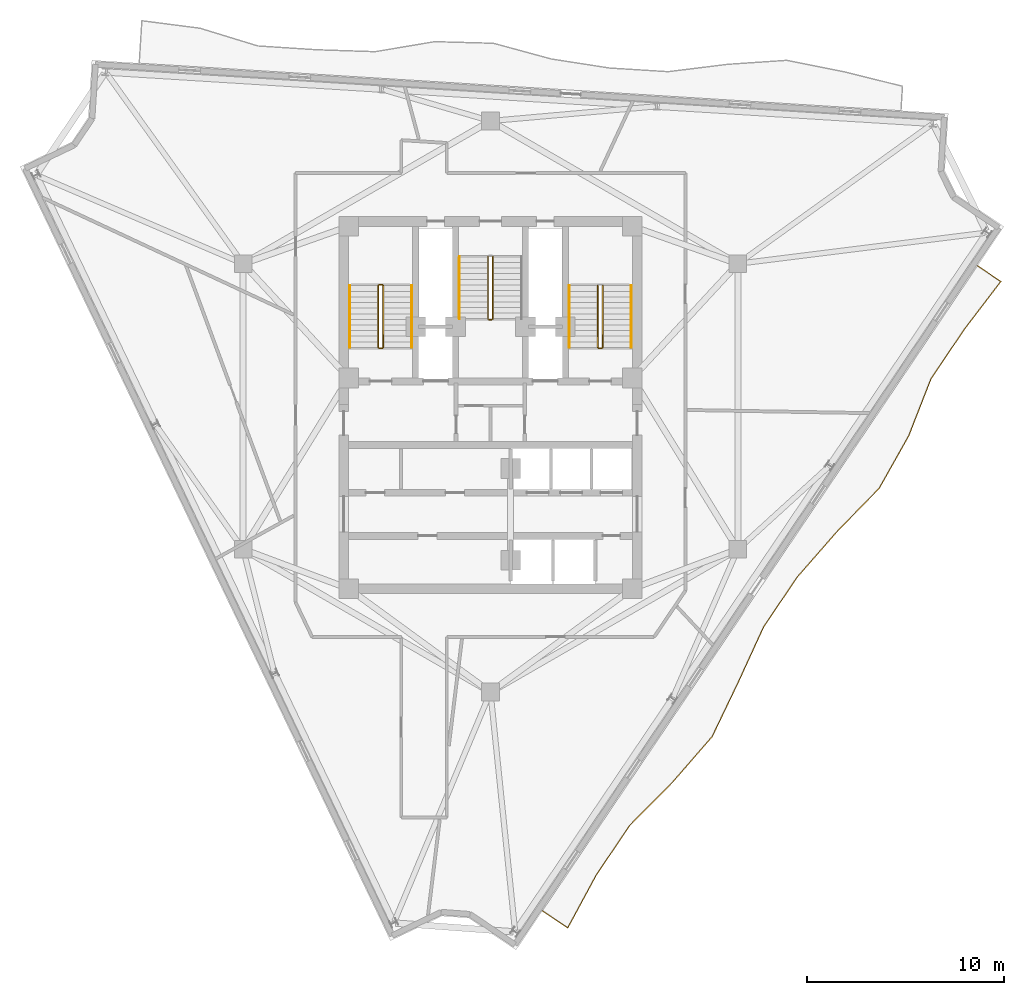
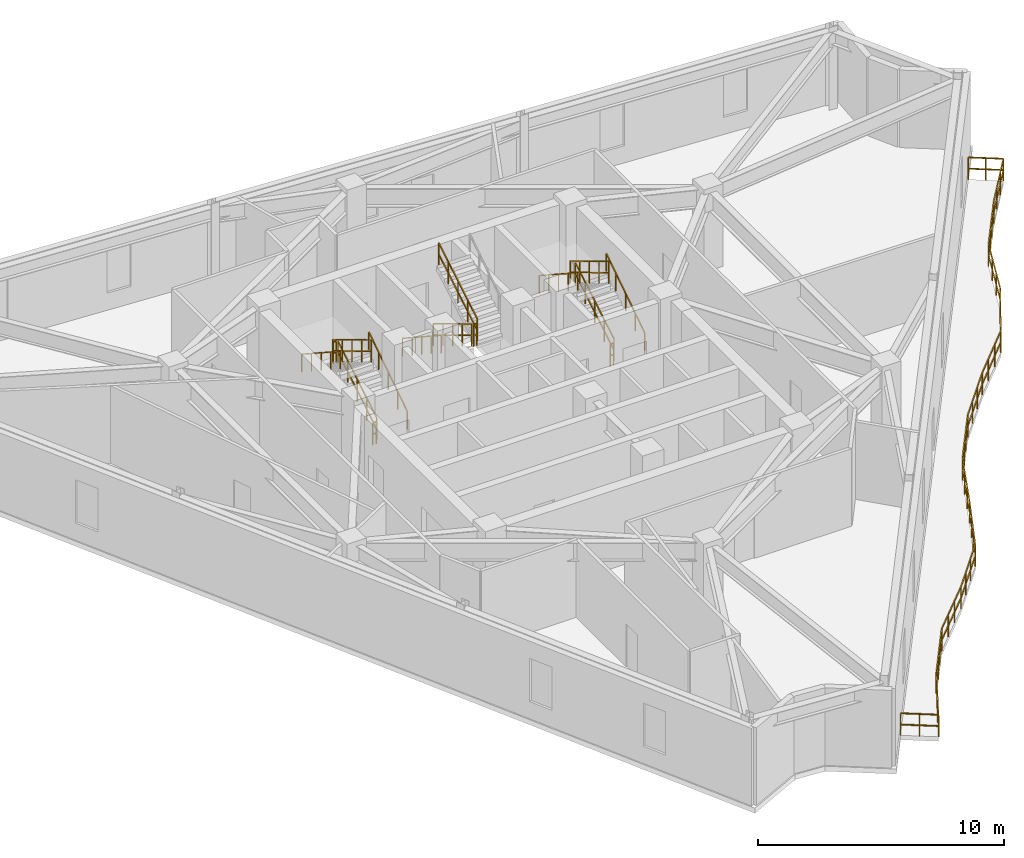
# One storey, part 9 of 10: 16 railings.
"""IFC4 building model written with IfcOpenShell, lengths in metres."""

import ifcopenshell
import ifcopenshell.guid

model = None  # the IFC model being written
_history = None  # IfcOwnerHistory: only IFC2X3 demands one
_inside = {}  # id of a spatial element -> (the spatial element, [elements in it])
_under = {}  # id of a project, library or spatial element -> (it, [spatial elements below it])
_declared = {}  # id of a project -> (the project, [libraries it declares])
_typed = {}  # id of a type object -> (the type object, [elements of that type])
_made_of = {}  # id of a material, layer set ... -> (it, [elements and type objects made of it])


def new_model(schema):
    """Start an empty IFC model of exactly this schema.

    Asked for "IFC4X3", IfcOpenShell would pick the latest addendum, in which some entities
    have other attributes; the version numbers below select the first issue.
    IFC2X3 requires an IfcOwnerHistory on every rooted entity: one is made here for all.
    """
    global model, _history
    if schema == "IFC4X3":
        model = ifcopenshell.file(schema_version=(4, 3, 0, 0))
    else:
        model = ifcopenshell.file(schema=schema)
    _inside.clear()
    _under.clear()
    _declared.clear()
    _typed.clear()
    _made_of.clear()
    _history = None
    if model.schema == "IFC2X3":
        org = make("IfcOrganization", Name="unknown")
        user = make(
            "IfcPersonAndOrganization",
            ThePerson=make("IfcPerson", FamilyName="unknown"),
            TheOrganization=org,
        )
        app = make(
            "IfcApplication",
            ApplicationDeveloper=org,
            Version="unknown",
            ApplicationFullName="unknown",
            ApplicationIdentifier="unknown",
        )
        _history = make(
            "IfcOwnerHistory",
            OwningUser=user,
            OwningApplication=app,
            ChangeAction="ADDED",
            CreationDate=0,
        )
    return model


def make(cls, **values):
    """One entity of the class cls with the attributes given. An attribute that is None is left unset."""
    return model.create_entity(
        cls, **{name: value for name, value in values.items() if value is not None}
    )


def rooted(cls, **values):
    """An entity with a GlobalId (a new one), such as an element, a storey or a relation."""
    return make(cls, GlobalId=ifcopenshell.guid.new(), OwnerHistory=_history, **values)


def si_unit(unit_type, name, prefix=None):
    """IfcSIUnit, for example si_unit("LENGTHUNIT", "METRE", prefix="MILLI")."""
    return make("IfcSIUnit", UnitType=unit_type, Prefix=prefix, Name=name)


def assignment(units):
    """IfcUnitAssignment: the units of a project."""
    return None if units is None else make("IfcUnitAssignment", Units=units)


def point(xyz):
    """IfcCartesianPoint."""
    return None if xyz is None else make("IfcCartesianPoint", Coordinates=xyz)


def direction(xyz):
    """IfcDirection."""
    return None if xyz is None else make("IfcDirection", DirectionRatios=xyz)


def frame(location, z_axis=None, x_axis=None):
    """IfcAxis2Placement3D, a coordinate frame: its origin and axes. An axis left out is left unset."""
    return make(
        "IfcAxis2Placement3D",
        Location=point(location),
        Axis=direction(z_axis),
        RefDirection=direction(x_axis),
    )


def frame_2d(location, x_axis=None):
    """IfcAxis2Placement2D, a coordinate frame in the plane: its origin and x axis."""
    return make(
        "IfcAxis2Placement2D", Location=point(location), RefDirection=direction(x_axis)
    )


def origin():
    """The frame at (0, 0, 0) with its axes left unset."""
    return frame((0.0, 0.0, 0.0))


def origin_2d():
    """The frame at (0, 0) in the plane with its x axis left unset."""
    return frame_2d((0.0, 0.0))


def place(relative_to, where):
    """IfcLocalPlacement: puts the frame where relative to a parent placement (None: the world)."""
    return make(
        "IfcLocalPlacement", PlacementRelTo=relative_to, RelativePlacement=where
    )


def context(
    kind, dimensions, precision=None, world=None, true_north=None, identifier=None
):
    """IfcGeometricRepresentationContext, for example the 3D "Model" context."""
    return make(
        "IfcGeometricRepresentationContext",
        ContextIdentifier=identifier,
        ContextType=kind,
        CoordinateSpaceDimension=dimensions,
        Precision=precision,
        WorldCoordinateSystem=world,
        TrueNorth=true_north,
    )


def subcontext(parent, identifier, kind, view, scale=None):
    """IfcGeometricRepresentationSubContext, for example "Body" below "Model"."""
    return make(
        "IfcGeometricRepresentationSubContext",
        ContextIdentifier=identifier,
        ContextType=kind,
        ParentContext=parent,
        TargetScale=scale,
        TargetView=view,
    )


def project(units=None, contexts=None):
    """IfcProject with its units and contexts."""
    return rooted(
        "IfcProject",
        Name="project",
        RepresentationContexts=contexts,
        UnitsInContext=assignment(units),
    )


def spatial(cls, under=None, at=None, **own):
    """A site, building, storey or space (cls), placed at a placement, below another one or the project."""
    s = rooted(cls, ObjectPlacement=at, **own)
    if under is not None:
        _under.setdefault(under.id(), (under, []))[1].append(s)
    return s


def profile(cls, at=None, kind="AREA", **sizes):
    """A parametric profile (cls). Its sizes go by their IFC names, for example OverallWidth=200.0."""
    return make(cls, ProfileType=kind, Position=at, **sizes)


def rectangle(**sizes):
    """IfcRectangleProfileDef."""
    return profile("IfcRectangleProfileDef", **sizes)


def extrude(swept, where, along, depth):
    """IfcExtrudedAreaSolid: the profile swept, set in the frame where, extruded along a direction by depth."""
    return make(
        "IfcExtrudedAreaSolid",
        SweptArea=swept,
        Position=where,
        ExtrudedDirection=direction(along),
        Depth=depth,
    )


def shape(context_of_items, identifier, shape_type, items):
    """IfcShapeRepresentation: the items that make up one representation, for example the "Body"."""
    return make(
        "IfcShapeRepresentation",
        ContextOfItems=context_of_items,
        RepresentationIdentifier=identifier,
        RepresentationType=shape_type,
        Items=items,
    )


def material(Name=None, Category=None):
    """IfcMaterial."""
    return make("IfcMaterial", Name=Name, Category=Category)


def made_of(thing, what):
    """Note that an element or type object is made of a material, layer set ...; save() writes the relation."""
    if what is not None:
        _made_of.setdefault(what.id(), (what, []))[1].append(thing)
    return thing


def type_object(cls, material=None, **own):
    """A type object (cls), such as IfcWallType, which elements share."""
    return made_of(rooted(cls, **own), material)


def element(
    cls,
    number,
    at=None,
    inside=None,
    cuts=None,
    type_object=None,
    material=None,
    context=None,
    identifier="Body",
    shape_type=None,
    held_by="IfcProductDefinitionShape",
    body=None,
    shapes=None,
    **own,
):
    """One element of the class cls, such as IfcWall. Its Tag is "e" and its number.

    at: its placement. inside: the storey or other place that contains it. cuts: it is an
    opening in that element (IfcRelVoidsElement). A single representation is given by context,
    identifier, shape_type and body (its items); several are given by shapes. held_by: the class
    of the entity that holds the representations. save() writes the other relations.
    """
    e = rooted(cls, Tag="e%d" % number, ObjectPlacement=at, **own)
    if body is not None:
        shapes = [shape(context, identifier, shape_type, body)]
    if shapes is not None:
        e.Representation = make(held_by, Representations=shapes)
    if inside is not None:
        _inside.setdefault(inside.id(), (inside, []))[1].append(e)
    if cuts is not None:
        rooted(
            "IfcRelVoidsElement", RelatingBuildingElement=cuts, RelatedOpeningElement=e
        )
    if type_object is not None:
        _typed.setdefault(type_object.id(), (type_object, []))[1].append(e)
    return made_of(e, material)


def aggregate(whole, parts):
    """IfcRelAggregates: a whole, such as a stair, and the parts it consists of."""
    return rooted("IfcRelAggregates", RelatingObject=whole, RelatedObjects=parts)


def save(model, path):
    """Write the relations noted so far, then the file.

    IfcRelAggregates (storeys below a building ...), IfcRelContainedInSpatialStructure (elements
    in a storey), IfcRelDefinesByType, IfcRelAssociatesMaterial and IfcRelDeclares: one each for
    every whole, place, type object, material and project.
    """
    for whole, parts in _under.values():
        aggregate(whole, parts)
    for where, things in _inside.values():
        rooted(
            "IfcRelContainedInSpatialStructure",
            RelatedElements=things,
            RelatingStructure=where,
        )
    for kind, things in _typed.values():
        rooted("IfcRelDefinesByType", RelatedObjects=things, RelatingType=kind)
    for what, things in _made_of.values():
        rooted("IfcRelAssociatesMaterial", RelatedObjects=things, RelatingMaterial=what)
    for by, libraries in _declared.values():
        rooted("IfcRelDeclares", RelatingContext=by, RelatedDefinitions=libraries)
    model.write(path)


model = new_model("IFC4")

# Units and contexts
model_context = context("Model", 3, precision=1e-05, world=origin(), true_north=direction((0.0, 1.0)))
body_context = subcontext(model_context, "Body", "Model", "MODEL_VIEW")
ifc_project = project(units=[si_unit("LENGTHUNIT", "METRE"), si_unit("AREAUNIT", "SQUARE_METRE"), si_unit("VOLUMEUNIT", "CUBIC_METRE"), si_unit("PLANEANGLEUNIT", "RADIAN"), si_unit("MASSUNIT", "GRAM", prefix="KILO")], contexts=[model_context])

# Site, building, storey
site_placement = place(None, origin())
site = spatial("IfcSite", under=ifc_project, at=site_placement, CompositionType="ELEMENT")
building_placement = place(site_placement, origin())
building = spatial("IfcBuilding", under=site, at=building_placement, Name="Apsidion Concourse Tower", CompositionType="ELEMENT")
storey_placement = place(building_placement, frame((0.0, 0.0, 310.60009765625)))
storey = spatial("IfcBuildingStorey", under=building, at=storey_placement, Name="L73", CompositionType="ELEMENT", Elevation=310.60009765625)

# Railings
ifc_material = material(Name="Brushed stainless steel 316", Category="steel")
railing_type_1 = type_object("IfcRailingType", Name="RL-BAL-1120", PredefinedType="BALUSTRADE", material=ifc_material)
railing_1_placement = place(storey_placement, frame((24.735595703125, 7.147216796875, 0.0)))
element("IfcRailing", 1, at=railing_1_placement, inside=storey, type_object=railing_type_1, Name="L73 Face 2 Rippling Balcony Balustrade", PredefinedType="BALUSTRADE", context=body_context, shape_type="SweptSolid", body=[
    extrude(rectangle(XDim=0.048095703125, YDim=0.048095703125, at=origin_2d()), frame((0.0, 0.0, 1.09619140625), z_axis=(0.829037077885, -0.559193636848, 0.0), x_axis=(0.559193636848, 0.829037077885, 0.0)), (0.0, 0.0, 1.0), 1.4267578125),
    extrude(rectangle(XDim=0.048095703125, YDim=0.048095703125, at=origin_2d()), frame((0.0, 0.0, 0.5361328125), z_axis=(0.829037077885, -0.559193636848, 0.0), x_axis=(0.559193636848, 0.829037077885, 0.0)), (0.0, 0.0, 1.0), 1.4267578125),
    extrude(rectangle(XDim=0.048095703125, YDim=0.048095703125, at=origin_2d()), frame((1.182861328125, -0.7978515625, 1.09619140625), z_axis=(-0.606407934238, -0.795153706709, 0.0), x_axis=(0.795153706709, -0.606407934238, 0.0)), (0.0, 0.0, 1.0), 3.044921875),
    extrude(rectangle(XDim=0.048095703125, YDim=0.048095703125, at=origin_2d()), frame((1.182861328125, -0.7978515625, 0.5361328125), z_axis=(-0.606407934238, -0.795153706709, 0.0), x_axis=(0.795153706709, -0.606407934238, 0.0)), (0.0, 0.0, 1.0), 3.044921875),
    extrude(rectangle(XDim=0.048095703125, YDim=0.048095703125, at=origin_2d()), frame((-0.66357421875, -3.218994140625, 1.09619140625), z_axis=(-0.559214853397, -0.82902276672, 0.0), x_axis=(0.82902276672, -0.559214853397, 0.0)), (0.0, 0.0, 1.0), 3.03955078125),
    extrude(rectangle(XDim=0.048095703125, YDim=0.048095703125, at=origin_2d()), frame((-0.66357421875, -3.218994140625, 0.5361328125), z_axis=(-0.559214853397, -0.82902276672, 0.0), x_axis=(0.82902276672, -0.559214853397, 0.0)), (0.0, 0.0, 1.0), 3.03955078125),
    extrude(rectangle(XDim=0.048095703125, YDim=0.048095703125, at=origin_2d()), frame((-2.36328125, -5.73876953125, 1.09619140625), z_axis=(-0.363784657862, -0.931483076982, 0.0), x_axis=(0.931483076982, -0.363784657862, 0.0)), (0.0, 0.0, 1.0), 3.115234375),
    extrude(rectangle(XDim=0.048095703125, YDim=0.048095703125, at=origin_2d()), frame((-2.36328125, -5.73876953125, 0.5361328125), z_axis=(-0.363784657862, -0.931483076982, 0.0), x_axis=(0.931483076982, -0.363784657862, 0.0)), (0.0, 0.0, 1.0), 3.115234375),
    extrude(rectangle(XDim=0.048095703125, YDim=0.048095703125, at=origin_2d()), frame((-3.49658203125, -8.640625, 1.09619140625), z_axis=(-0.490420867587, -0.871485727155, 0.0), x_axis=(0.871485727155, -0.490420867587, 0.0)), (0.0, 0.0, 1.0), 3.049560546875),
    extrude(rectangle(XDim=0.048095703125, YDim=0.048095703125, at=origin_2d()), frame((-3.49658203125, -8.640625, 0.5361328125), z_axis=(-0.490420867587, -0.871485727155, 0.0), x_axis=(0.871485727155, -0.490420867587, 0.0)), (0.0, 0.0, 1.0), 3.049560546875),
    extrude(rectangle(XDim=0.048095703125, YDim=0.048095703125, at=origin_2d()), frame((-4.9921875, -11.29833984375, 1.09619140625), z_axis=(-0.697557953227, -0.716528367819, 0.0), x_axis=(0.716528367819, -0.697557953227, 0.0)), (0.0, 0.0, 1.0), 3.088623046875),
    extrude(rectangle(XDim=0.048095703125, YDim=0.048095703125, at=origin_2d()), frame((-4.9921875, -11.29833984375, 0.5361328125), z_axis=(-0.697557953227, -0.716528367819, 0.0), x_axis=(0.716528367819, -0.697557953227, 0.0)), (0.0, 0.0, 1.0), 3.088623046875),
    extrude(rectangle(XDim=0.048095703125, YDim=0.048095703125, at=origin_2d()), frame((-7.146728515625, -13.511474609375, 1.09619140625), z_axis=(-0.657883748879, -0.753119494477, 0.0), x_axis=(0.753119494477, -0.657883748879, 0.0)), (0.0, 0.0, 1.0), 3.0634765625),
    extrude(rectangle(XDim=0.048095703125, YDim=0.048095703125, at=origin_2d()), frame((-7.146728515625, -13.511474609375, 0.5361328125), z_axis=(-0.657883748879, -0.753119494477, 0.0), x_axis=(0.753119494477, -0.657883748879, 0.0)), (0.0, 0.0, 1.0), 3.0634765625),
    extrude(rectangle(XDim=0.048095703125, YDim=0.048095703125, at=origin_2d()), frame((-9.162109375, -15.818603515625, 1.09619140625), z_axis=(-0.559177617013, -0.829047883196, 0.0), x_axis=(0.829047883196, -0.559177617013, 0.0)), (0.0, 0.0, 1.0), 3.03955078125),
    extrude(rectangle(XDim=0.048095703125, YDim=0.048095703125, at=origin_2d()), frame((-9.162109375, -15.818603515625, 0.5361328125), z_axis=(-0.559177617013, -0.829047883196, 0.0), x_axis=(0.829047883196, -0.559177617013, 0.0)), (0.0, 0.0, 1.0), 3.03955078125),
    extrude(rectangle(XDim=0.048095703125, YDim=0.048095703125, at=origin_2d()), frame((-10.86181640625, -18.338623046875, 1.09619140625), z_axis=(-0.416810261032, -0.908993512792, 0.0), x_axis=(0.908993512792, -0.416810261032, 0.0)), (0.0, 0.0, 1.0), 3.080322265625),
    extrude(rectangle(XDim=0.048095703125, YDim=0.048095703125, at=origin_2d()), frame((-10.86181640625, -18.338623046875, 0.5361328125), z_axis=(-0.416810261032, -0.908993512792, 0.0), x_axis=(0.908993512792, -0.416810261032, 0.0)), (0.0, 0.0, 1.0), 3.080322265625),
    extrude(rectangle(XDim=0.048095703125, YDim=0.048095703125, at=origin_2d()), frame((-12.145751953125, -21.138671875, 1.09619140625), z_axis=(-0.432501146296, -0.901633383617, 0.0), x_axis=(0.901633383617, -0.432501146296, 0.0)), (0.0, 0.0, 1.0), 3.072509765625),
    extrude(rectangle(XDim=0.048095703125, YDim=0.048095703125, at=origin_2d()), frame((-12.145751953125, -21.138671875, 0.5361328125), z_axis=(-0.432501146296, -0.901633383617, 0.0), x_axis=(0.901633383617, -0.432501146296, 0.0)), (0.0, 0.0, 1.0), 3.072509765625),
    extrude(rectangle(XDim=0.048095703125, YDim=0.048095703125, at=origin_2d()), frame((-13.474609375, -23.908935546875, 1.09619140625), z_axis=(-0.655819405218, -0.754917815222, 0.0), x_axis=(0.754917815222, -0.655819405218, 0.0)), (0.0, 0.0, 1.0), 3.062255859375),
    extrude(rectangle(XDim=0.048095703125, YDim=0.048095703125, at=origin_2d()), frame((-13.474609375, -23.908935546875, 0.5361328125), z_axis=(-0.655819405218, -0.754917815222, 0.0), x_axis=(0.754917815222, -0.655819405218, 0.0)), (0.0, 0.0, 1.0), 3.062255859375),
    extrude(rectangle(XDim=0.048095703125, YDim=0.048095703125, at=origin_2d()), frame((-15.48291015625, -26.220703125, 1.09619140625), z_axis=(-0.703903583789, -0.710295533373, 0.0), x_axis=(0.710295533373, -0.703903583789, 0.0)), (0.0, 0.0, 1.0), 3.09375),
    extrude(rectangle(XDim=0.048095703125, YDim=0.048095703125, at=origin_2d()), frame((-15.48291015625, -26.220703125, 0.5361328125), z_axis=(-0.703903583789, -0.710295533373, 0.0), x_axis=(0.710295533373, -0.703903583789, 0.0)), (0.0, 0.0, 1.0), 3.09375),
    extrude(rectangle(XDim=0.048095703125, YDim=0.048095703125, at=origin_2d()), frame((-17.66064453125, -28.418212890625, 1.09619140625), z_axis=(-0.559177617013, -0.829047883196, 0.0), x_axis=(0.829047883196, -0.559177617013, 0.0)), (0.0, 0.0, 1.0), 3.03955078125),
    extrude(rectangle(XDim=0.048095703125, YDim=0.048095703125, at=origin_2d()), frame((-17.66064453125, -28.418212890625, 0.5361328125), z_axis=(-0.559177617013, -0.829047883196, 0.0), x_axis=(0.829047883196, -0.559177617013, 0.0)), (0.0, 0.0, 1.0), 3.03955078125),
    extrude(rectangle(XDim=0.048095703125, YDim=0.048095703125, at=origin_2d()), frame((-19.3603515625, -30.938232421875, 1.09619140625), z_axis=(-0.475067217734, -0.879949509139, 0.0), x_axis=(0.879949509139, -0.475067217734, 0.0)), (0.0, 0.0, 1.0), 3.05419921875),
    extrude(rectangle(XDim=0.048095703125, YDim=0.048095703125, at=origin_2d()), frame((-19.3603515625, -30.938232421875, 0.5361328125), z_axis=(-0.475067217734, -0.879949509139, 0.0), x_axis=(0.879949509139, -0.475067217734, 0.0)), (0.0, 0.0, 1.0), 3.05419921875),
    extrude(rectangle(XDim=0.048095703125, YDim=0.048095703125, at=origin_2d()), frame((-20.811279296875, -33.625732421875, 1.09619140625), z_axis=(-0.82903306862, 0.559199580771, 0.0), x_axis=(-0.559199580771, -0.82903306862, 0.0)), (0.0, 0.0, 1.0), 1.5498046875),
    extrude(rectangle(XDim=0.048095703125, YDim=0.048095703125, at=origin_2d()), frame((-20.811279296875, -33.625732421875, 0.5361328125), z_axis=(-0.82903306862, 0.559199580771, 0.0), x_axis=(-0.559199580771, -0.82903306862, 0.0)), (0.0, 0.0, 1.0), 1.5498046875),
    extrude(rectangle(XDim=0.0419921875, YDim=0.0419921875, at=origin_2d()), origin(), (0.0, 0.0, 1.0), 1.072021484375),
    extrude(rectangle(XDim=0.0419921875, YDim=0.0419921875, at=origin_2d()), frame((0.59130859375, -0.39892578125, 0.0)), (0.0, 0.0, 1.0), 1.072021484375),
    extrude(rectangle(XDim=0.0419921875, YDim=0.0419921875, at=origin_2d()), frame((1.182861328125, -0.7978515625, 0.0)), (0.0, 0.0, 1.0), 1.072021484375),
    extrude(rectangle(XDim=0.0419921875, YDim=0.0419921875, at=origin_2d()), frame((0.5673828125, -1.60498046875, 0.0)), (0.0, 0.0, 1.0), 1.072021484375),
    extrude(rectangle(XDim=0.0419921875, YDim=0.0419921875, at=origin_2d()), frame((-0.048095703125, -2.411865234375, 0.0)), (0.0, 0.0, 1.0), 1.072021484375),
    extrude(rectangle(XDim=0.0419921875, YDim=0.0419921875, at=origin_2d()), frame((-0.66357421875, -3.218994140625, 0.0)), (0.0, 0.0, 1.0), 1.072021484375),
    extrude(rectangle(XDim=0.0419921875, YDim=0.0419921875, at=origin_2d()), frame((-1.230224609375, -4.058837890625, 0.0)), (0.0, 0.0, 1.0), 1.072021484375),
    extrude(rectangle(XDim=0.0419921875, YDim=0.0419921875, at=origin_2d()), frame((-1.796630859375, -4.89892578125, 0.0)), (0.0, 0.0, 1.0), 1.072021484375),
    extrude(rectangle(XDim=0.0419921875, YDim=0.0419921875, at=origin_2d()), frame((-2.36328125, -5.73876953125, 0.0)), (0.0, 0.0, 1.0), 1.072021484375),
    extrude(rectangle(XDim=0.0419921875, YDim=0.0419921875, at=origin_2d()), frame((-2.740966796875, -6.7060546875, 0.0)), (0.0, 0.0, 1.0), 1.072021484375),
    extrude(rectangle(XDim=0.0419921875, YDim=0.0419921875, at=origin_2d()), frame((-3.118896484375, -7.67333984375, 0.0)), (0.0, 0.0, 1.0), 1.072021484375),
    extrude(rectangle(XDim=0.0419921875, YDim=0.0419921875, at=origin_2d()), frame((-3.49658203125, -8.640625, 0.0)), (0.0, 0.0, 1.0), 1.072021484375),
    extrude(rectangle(XDim=0.0419921875, YDim=0.0419921875, at=origin_2d()), frame((-3.9951171875, -9.526611328125, 0.0)), (0.0, 0.0, 1.0), 1.072021484375),
    extrude(rectangle(XDim=0.0419921875, YDim=0.0419921875, at=origin_2d()), frame((-4.49365234375, -10.412353515625, 0.0)), (0.0, 0.0, 1.0), 1.072021484375),
    extrude(rectangle(XDim=0.0419921875, YDim=0.0419921875, at=origin_2d()), frame((-4.9921875, -11.29833984375, 0.0)), (0.0, 0.0, 1.0), 1.072021484375),
    extrude(rectangle(XDim=0.0419921875, YDim=0.0419921875, at=origin_2d()), frame((-5.71044921875, -12.0361328125, 0.0)), (0.0, 0.0, 1.0), 1.072021484375),
    extrude(rectangle(XDim=0.0419921875, YDim=0.0419921875, at=origin_2d()), frame((-6.428466796875, -12.773681640625, 0.0)), (0.0, 0.0, 1.0), 1.072021484375),
    extrude(rectangle(XDim=0.0419921875, YDim=0.0419921875, at=origin_2d()), frame((-7.146728515625, -13.511474609375, 0.0)), (0.0, 0.0, 1.0), 1.072021484375),
    extrude(rectangle(XDim=0.0419921875, YDim=0.0419921875, at=origin_2d()), frame((-7.818603515625, -14.280517578125, 0.0)), (0.0, 0.0, 1.0), 1.072021484375),
    extrude(rectangle(XDim=0.0419921875, YDim=0.0419921875, at=origin_2d()), frame((-8.490234375, -15.049560546875, 0.0)), (0.0, 0.0, 1.0), 1.072021484375),
    extrude(rectangle(XDim=0.0419921875, YDim=0.0419921875, at=origin_2d()), frame((-9.162109375, -15.818603515625, 0.0)), (0.0, 0.0, 1.0), 1.072021484375),
    extrude(rectangle(XDim=0.0419921875, YDim=0.0419921875, at=origin_2d()), frame((-9.728759765625, -16.65869140625, 0.0)), (0.0, 0.0, 1.0), 1.072021484375),
    extrude(rectangle(XDim=0.0419921875, YDim=0.0419921875, at=origin_2d()), frame((-10.295166015625, -17.49853515625, 0.0)), (0.0, 0.0, 1.0), 1.072021484375),
    extrude(rectangle(XDim=0.0419921875, YDim=0.0419921875, at=origin_2d()), frame((-10.86181640625, -18.338623046875, 0.0)), (0.0, 0.0, 1.0), 1.072021484375),
    extrude(rectangle(XDim=0.0419921875, YDim=0.0419921875, at=origin_2d()), frame((-11.289794921875, -19.27197265625, 0.0)), (0.0, 0.0, 1.0), 1.072021484375),
    extrude(rectangle(XDim=0.0419921875, YDim=0.0419921875, at=origin_2d()), frame((-11.7177734375, -20.205322265625, 0.0)), (0.0, 0.0, 1.0), 1.072021484375),
    extrude(rectangle(XDim=0.0419921875, YDim=0.0419921875, at=origin_2d()), frame((-12.145751953125, -21.138671875, 0.0)), (0.0, 0.0, 1.0), 1.072021484375),
    extrude(rectangle(XDim=0.0419921875, YDim=0.0419921875, at=origin_2d()), frame((-12.588623046875, -22.06201171875, 0.0)), (0.0, 0.0, 1.0), 1.072021484375),
    extrude(rectangle(XDim=0.0419921875, YDim=0.0419921875, at=origin_2d()), frame((-13.03173828125, -22.985595703125, 0.0)), (0.0, 0.0, 1.0), 1.072021484375),
    extrude(rectangle(XDim=0.0419921875, YDim=0.0419921875, at=origin_2d()), frame((-13.474609375, -23.908935546875, 0.0)), (0.0, 0.0, 1.0), 1.072021484375),
    extrude(rectangle(XDim=0.0419921875, YDim=0.0419921875, at=origin_2d()), frame((-14.14404296875, -24.679443359375, 0.0)), (0.0, 0.0, 1.0), 1.072021484375),
    extrude(rectangle(XDim=0.0419921875, YDim=0.0419921875, at=origin_2d()), frame((-14.8134765625, -25.4501953125, 0.0)), (0.0, 0.0, 1.0), 1.072021484375),
    extrude(rectangle(XDim=0.0419921875, YDim=0.0419921875, at=origin_2d()), frame((-15.48291015625, -26.220703125, 0.0)), (0.0, 0.0, 1.0), 1.072021484375),
    extrude(rectangle(XDim=0.0419921875, YDim=0.0419921875, at=origin_2d()), frame((-16.208740234375, -26.953125, 0.0)), (0.0, 0.0, 1.0), 1.072021484375),
    extrude(rectangle(XDim=0.0419921875, YDim=0.0419921875, at=origin_2d()), frame((-16.934814453125, -27.685791015625, 0.0)), (0.0, 0.0, 1.0), 1.072021484375),
    extrude(rectangle(XDim=0.0419921875, YDim=0.0419921875, at=origin_2d()), frame((-17.66064453125, -28.418212890625, 0.0)), (0.0, 0.0, 1.0), 1.072021484375),
    extrude(rectangle(XDim=0.0419921875, YDim=0.0419921875, at=origin_2d()), frame((-18.227294921875, -29.25830078125, 0.0)), (0.0, 0.0, 1.0), 1.072021484375),
    extrude(rectangle(XDim=0.0419921875, YDim=0.0419921875, at=origin_2d()), frame((-18.793701171875, -30.09814453125, 0.0)), (0.0, 0.0, 1.0), 1.072021484375),
    extrude(rectangle(XDim=0.0419921875, YDim=0.0419921875, at=origin_2d()), frame((-19.3603515625, -30.938232421875, 0.0)), (0.0, 0.0, 1.0), 1.072021484375),
    extrude(rectangle(XDim=0.0419921875, YDim=0.0419921875, at=origin_2d()), frame((-19.843994140625, -31.833984375, 0.0)), (0.0, 0.0, 1.0), 1.072021484375),
    extrude(rectangle(XDim=0.0419921875, YDim=0.0419921875, at=origin_2d()), frame((-20.32763671875, -32.72998046875, 0.0)), (0.0, 0.0, 1.0), 1.072021484375),
    extrude(rectangle(XDim=0.0419921875, YDim=0.0419921875, at=origin_2d()), frame((-20.811279296875, -33.625732421875, 0.0)), (0.0, 0.0, 1.0), 1.072021484375),
    extrude(rectangle(XDim=0.0419921875, YDim=0.0419921875, at=origin_2d()), frame((-21.45361328125, -33.1923828125, 0.0)), (0.0, 0.0, 1.0), 1.072021484375),
    extrude(rectangle(XDim=0.0419921875, YDim=0.0419921875, at=origin_2d()), frame((-22.09619140625, -32.759033203125, 0.0)), (0.0, 0.0, 1.0), 1.072021484375),
])
railing_type_2 = type_object("IfcRailingType", Name="RL-GUARD-1100", PredefinedType="GUARDRAIL", material=ifc_material)
railing_2_placement = place(storey_placement, frame((-5.449951171875, 3.0, 0.170654296875)))
element("IfcRailing", 2, at=railing_2_placement, inside=storey, type_object=railing_type_2, Name="L73 ST1 stair guard 1", PredefinedType="GUARDRAIL", context=body_context, shape_type="SweptSolid", body=[
    extrude(rectangle(XDim=0.048095703125, YDim=0.048095703125, at=origin_2d()), frame((0.0, 0.0, 1.09619140625), z_axis=(0.0, 0.857716804754, 0.514122439544), x_axis=(-1.0, 0.0, 0.0)), (0.0, 0.0, 1.0), 3.655029296875),
    extrude(rectangle(XDim=0.048095703125, YDim=0.048095703125, at=origin_2d()), frame((0.0, 0.0, 0.5361328125), z_axis=(0.0, 0.857716804754, 0.514122439544), x_axis=(-1.0, 0.0, 0.0)), (0.0, 0.0, 1.0), 3.655029296875),
    extrude(rectangle(XDim=0.0419921875, YDim=0.0419921875, at=origin_2d()), origin(), (0.0, 0.0, 1.0), 1.072021484375),
    extrude(rectangle(XDim=0.0419921875, YDim=0.0419921875, at=origin_2d()), frame((0.0, 0.78369140625, 0.4697265625)), (0.0, 0.0, 1.0), 1.072021484375),
    extrude(rectangle(XDim=0.0419921875, YDim=0.0419921875, at=origin_2d()), frame((0.0, 1.5673828125, 0.939453125)), (0.0, 0.0, 1.0), 1.072021484375),
    extrude(rectangle(XDim=0.0419921875, YDim=0.0419921875, at=origin_2d()), frame((0.0, 2.351318359375, 1.409423828125)), (0.0, 0.0, 1.0), 1.072021484375),
    extrude(rectangle(XDim=0.0419921875, YDim=0.0419921875, at=origin_2d()), frame((0.0, 3.135009765625, 1.879150390625)), (0.0, 0.0, 1.0), 1.072021484375),
])
railing_3_placement = place(storey_placement, frame((-5.5, 6.18505859375, 2.0498046875)))
element("IfcRailing", 3, at=railing_3_placement, inside=storey, type_object=railing_type_2, Name="L73 ST1 stair guard 2", PredefinedType="GUARDRAIL", context=body_context, shape_type="SweptSolid", body=[
    extrude(rectangle(XDim=0.048095703125, YDim=0.048095703125, at=origin_2d()), frame((0.0, 0.0, 1.09619140625), z_axis=(-1.0, 0.0, 0.0), x_axis=(0.0, -1.0, 0.0)), (0.0, 0.0, 1.0), 0.14990234375),
    extrude(rectangle(XDim=0.048095703125, YDim=0.048095703125, at=origin_2d()), frame((0.0, 0.0, 0.5361328125), z_axis=(-1.0, 0.0, 0.0), x_axis=(0.0, -1.0, 0.0)), (0.0, 0.0, 1.0), 0.14990234375),
    extrude(rectangle(XDim=0.0419921875, YDim=0.0419921875, at=origin_2d()), origin(), (0.0, 0.0, 1.0), 1.072021484375),
    extrude(rectangle(XDim=0.0419921875, YDim=0.0419921875, at=origin_2d()), frame((-0.14990234375, 0.0, 0.0)), (0.0, 0.0, 1.0), 1.072021484375),
])
railing_4_placement = place(storey_placement, frame((-5.699951171875, 6.135009765625, 2.220703125)))
element("IfcRailing", 4, at=railing_4_placement, inside=storey, type_object=railing_type_2, Name="L73 ST1 stair guard 3", PredefinedType="GUARDRAIL", context=body_context, shape_type="SweptSolid", body=[
    extrude(rectangle(XDim=0.048095703125, YDim=0.048095703125, at=origin_2d()), frame((0.0, 0.0, 1.09619140625), z_axis=(0.0, -0.857716804754, 0.514122439544), x_axis=(1.0, 0.0, 0.0)), (0.0, 0.0, 1.0), 3.655029296875),
    extrude(rectangle(XDim=0.048095703125, YDim=0.048095703125, at=origin_2d()), frame((0.0, 0.0, 0.5361328125), z_axis=(0.0, -0.857716804754, 0.514122439544), x_axis=(1.0, 0.0, 0.0)), (0.0, 0.0, 1.0), 3.655029296875),
    extrude(rectangle(XDim=0.0419921875, YDim=0.0419921875, at=origin_2d()), origin(), (0.0, 0.0, 1.0), 1.072021484375),
    extrude(rectangle(XDim=0.0419921875, YDim=0.0419921875, at=origin_2d()), frame((0.0, -0.78369140625, 0.4697265625)), (0.0, 0.0, 1.0), 1.072021484375),
    extrude(rectangle(XDim=0.0419921875, YDim=0.0419921875, at=origin_2d()), frame((0.0, -1.5673828125, 0.939453125)), (0.0, 0.0, 1.0), 1.072021484375),
    extrude(rectangle(XDim=0.0419921875, YDim=0.0419921875, at=origin_2d()), frame((0.0, -2.351318359375, 1.409423828125)), (0.0, 0.0, 1.0), 1.072021484375),
    extrude(rectangle(XDim=0.0419921875, YDim=0.0419921875, at=origin_2d()), frame((0.0, -3.135009765625, 1.879150390625)), (0.0, 0.0, 1.0), 1.072021484375),
])
railing_5_placement = place(storey_placement, frame((-5.5, 2.949951171875, 0.0)))
element("IfcRailing", 5, at=railing_5_placement, inside=storey, type_object=railing_type_2, Name="L73 ST1 stair guard 4", PredefinedType="GUARDRAIL", context=body_context, shape_type="SweptSolid", body=[
    extrude(rectangle(XDim=0.048095703125, YDim=0.048095703125, at=origin_2d()), frame((0.0, 0.0, 1.09619140625), z_axis=(-1.0, 0.0, 0.0), x_axis=(0.0, -1.0, 0.0)), (0.0, 0.0, 1.0), 0.14990234375),
    extrude(rectangle(XDim=0.048095703125, YDim=0.048095703125, at=origin_2d()), frame((0.0, 0.0, 0.5361328125), z_axis=(-1.0, 0.0, 0.0), x_axis=(0.0, -1.0, 0.0)), (0.0, 0.0, 1.0), 0.14990234375),
    extrude(rectangle(XDim=0.0419921875, YDim=0.0419921875, at=origin_2d()), origin(), (0.0, 0.0, 1.0), 1.072021484375),
    extrude(rectangle(XDim=0.0419921875, YDim=0.0419921875, at=origin_2d()), frame((-0.14990234375, 0.0, 0.0)), (0.0, 0.0, 1.0), 1.072021484375),
])
railing_6_placement = place(storey_placement, frame((5.699951171875, 3.0, 0.170654296875)))
element("IfcRailing", 6, at=railing_6_placement, inside=storey, type_object=railing_type_2, Name="L73 ST2 stair guard 1", PredefinedType="GUARDRAIL", context=body_context, shape_type="SweptSolid", body=[
    extrude(rectangle(XDim=0.048095703125, YDim=0.048095703125, at=origin_2d()), frame((0.0, 0.0, 1.09619140625), z_axis=(0.0, 0.857716804754, 0.514122439544), x_axis=(-1.0, 0.0, 0.0)), (0.0, 0.0, 1.0), 3.655029296875),
    extrude(rectangle(XDim=0.048095703125, YDim=0.048095703125, at=origin_2d()), frame((0.0, 0.0, 0.5361328125), z_axis=(0.0, 0.857716804754, 0.514122439544), x_axis=(-1.0, 0.0, 0.0)), (0.0, 0.0, 1.0), 3.655029296875),
    extrude(rectangle(XDim=0.0419921875, YDim=0.0419921875, at=origin_2d()), origin(), (0.0, 0.0, 1.0), 1.072021484375),
    extrude(rectangle(XDim=0.0419921875, YDim=0.0419921875, at=origin_2d()), frame((0.0, 0.78369140625, 0.4697265625)), (0.0, 0.0, 1.0), 1.072021484375),
    extrude(rectangle(XDim=0.0419921875, YDim=0.0419921875, at=origin_2d()), frame((0.0, 1.5673828125, 0.939453125)), (0.0, 0.0, 1.0), 1.072021484375),
    extrude(rectangle(XDim=0.0419921875, YDim=0.0419921875, at=origin_2d()), frame((0.0, 2.351318359375, 1.409423828125)), (0.0, 0.0, 1.0), 1.072021484375),
    extrude(rectangle(XDim=0.0419921875, YDim=0.0419921875, at=origin_2d()), frame((0.0, 3.135009765625, 1.879150390625)), (0.0, 0.0, 1.0), 1.072021484375),
])
railing_7_placement = place(storey_placement, frame((5.449951171875, 6.135009765625, 2.220703125)))
element("IfcRailing", 7, at=railing_7_placement, inside=storey, type_object=railing_type_2, Name="L73 ST2 stair guard 3", PredefinedType="GUARDRAIL", context=body_context, shape_type="SweptSolid", body=[
    extrude(rectangle(XDim=0.048095703125, YDim=0.048095703125, at=origin_2d()), frame((0.0, 0.0, 1.09619140625), z_axis=(0.0, -0.857716804754, 0.514122439544), x_axis=(1.0, 0.0, 0.0)), (0.0, 0.0, 1.0), 3.655029296875),
    extrude(rectangle(XDim=0.048095703125, YDim=0.048095703125, at=origin_2d()), frame((0.0, 0.0, 0.5361328125), z_axis=(0.0, -0.857716804754, 0.514122439544), x_axis=(1.0, 0.0, 0.0)), (0.0, 0.0, 1.0), 3.655029296875),
    extrude(rectangle(XDim=0.0419921875, YDim=0.0419921875, at=origin_2d()), origin(), (0.0, 0.0, 1.0), 1.072021484375),
    extrude(rectangle(XDim=0.0419921875, YDim=0.0419921875, at=origin_2d()), frame((0.0, -0.78369140625, 0.4697265625)), (0.0, 0.0, 1.0), 1.072021484375),
    extrude(rectangle(XDim=0.0419921875, YDim=0.0419921875, at=origin_2d()), frame((0.0, -1.5673828125, 0.939453125)), (0.0, 0.0, 1.0), 1.072021484375),
    extrude(rectangle(XDim=0.0419921875, YDim=0.0419921875, at=origin_2d()), frame((0.0, -2.351318359375, 1.409423828125)), (0.0, 0.0, 1.0), 1.072021484375),
    extrude(rectangle(XDim=0.0419921875, YDim=0.0419921875, at=origin_2d()), frame((0.0, -3.135009765625, 1.879150390625)), (0.0, 0.0, 1.0), 1.072021484375),
])
railing_8_placement = place(storey_placement, frame((5.64990234375, 2.949951171875, 0.0)))
element("IfcRailing", 8, at=railing_8_placement, inside=storey, type_object=railing_type_2, Name="L73 ST2 stair guard 4", PredefinedType="GUARDRAIL", context=body_context, shape_type="SweptSolid", body=[
    extrude(rectangle(XDim=0.048095703125, YDim=0.048095703125, at=origin_2d()), frame((0.0, 0.0, 1.09619140625), z_axis=(-1.0, 0.0, 0.0), x_axis=(0.0, -1.0, 0.0)), (0.0, 0.0, 1.0), 0.14990234375),
    extrude(rectangle(XDim=0.048095703125, YDim=0.048095703125, at=origin_2d()), frame((0.0, 0.0, 0.5361328125), z_axis=(-1.0, 0.0, 0.0), x_axis=(0.0, -1.0, 0.0)), (0.0, 0.0, 1.0), 0.14990234375),
    extrude(rectangle(XDim=0.0419921875, YDim=0.0419921875, at=origin_2d()), origin(), (0.0, 0.0, 1.0), 1.072021484375),
    extrude(rectangle(XDim=0.0419921875, YDim=0.0419921875, at=origin_2d()), frame((-0.14990234375, 0.0, 0.0)), (0.0, 0.0, 1.0), 1.072021484375),
])
railing_9_placement = place(storey_placement, frame((-0.125, 7.60009765625, 0.170654296875)))
element("IfcRailing", 9, at=railing_9_placement, inside=storey, type_object=railing_type_2, Name="L73 ST3 stair guard 1", PredefinedType="GUARDRAIL", context=body_context, shape_type="SweptSolid", body=[
    extrude(rectangle(XDim=0.048095703125, YDim=0.048095703125, at=origin_2d()), frame((0.0, 0.0, 1.09619140625), z_axis=(0.0, -0.857716804754, 0.514122439544), x_axis=(1.0, 0.0, 0.0)), (0.0, 0.0, 1.0), 3.655029296875),
    extrude(rectangle(XDim=0.048095703125, YDim=0.048095703125, at=origin_2d()), frame((0.0, 0.0, 0.5361328125), z_axis=(0.0, -0.857716804754, 0.514122439544), x_axis=(1.0, 0.0, 0.0)), (0.0, 0.0, 1.0), 3.655029296875),
    extrude(rectangle(XDim=0.0419921875, YDim=0.0419921875, at=origin_2d()), origin(), (0.0, 0.0, 1.0), 1.072021484375),
    extrude(rectangle(XDim=0.0419921875, YDim=0.0419921875, at=origin_2d()), frame((0.0, -0.78369140625, 0.4697265625)), (0.0, 0.0, 1.0), 1.072021484375),
    extrude(rectangle(XDim=0.0419921875, YDim=0.0419921875, at=origin_2d()), frame((0.0, -1.5673828125, 0.939453125)), (0.0, 0.0, 1.0), 1.072021484375),
    extrude(rectangle(XDim=0.0419921875, YDim=0.0419921875, at=origin_2d()), frame((0.0, -2.351318359375, 1.409423828125)), (0.0, 0.0, 1.0), 1.072021484375),
    extrude(rectangle(XDim=0.0419921875, YDim=0.0419921875, at=origin_2d()), frame((0.0, -3.135009765625, 1.879150390625)), (0.0, 0.0, 1.0), 1.072021484375),
])
railing_10_placement = place(storey_placement, frame((-0.074951171875, 4.4150390625, 2.0498046875)))
element("IfcRailing", 10, at=railing_10_placement, inside=storey, type_object=railing_type_2, Name="L73 ST3 stair guard 2", PredefinedType="GUARDRAIL", context=body_context, shape_type="SweptSolid", body=[
    extrude(rectangle(XDim=0.048095703125, YDim=0.048095703125, at=origin_2d()), frame((0.0, 0.0, 1.09619140625), z_axis=(1.0, 0.0, 0.0), x_axis=(0.0, 1.0, 0.0)), (0.0, 0.0, 1.0), 0.14990234375),
    extrude(rectangle(XDim=0.048095703125, YDim=0.048095703125, at=origin_2d()), frame((0.0, 0.0, 0.5361328125), z_axis=(1.0, 0.0, 0.0), x_axis=(0.0, 1.0, 0.0)), (0.0, 0.0, 1.0), 0.14990234375),
    extrude(rectangle(XDim=0.0419921875, YDim=0.0419921875, at=origin_2d()), origin(), (0.0, 0.0, 1.0), 1.072021484375),
    extrude(rectangle(XDim=0.0419921875, YDim=0.0419921875, at=origin_2d()), frame((0.14990234375, 0.0, 0.0)), (0.0, 0.0, 1.0), 1.072021484375),
])
railing_11_placement = place(storey_placement, frame((0.125, 4.465087890625, 2.220703125)))
element("IfcRailing", 11, at=railing_11_placement, inside=storey, type_object=railing_type_2, Name="L73 ST3 stair guard 3", PredefinedType="GUARDRAIL", context=body_context, shape_type="SweptSolid", body=[
    extrude(rectangle(XDim=0.048095703125, YDim=0.048095703125, at=origin_2d()), frame((0.0, 0.0, 1.09619140625), z_axis=(0.0, 0.857716804754, 0.514122439544), x_axis=(-1.0, 0.0, 0.0)), (0.0, 0.0, 1.0), 3.655029296875),
    extrude(rectangle(XDim=0.048095703125, YDim=0.048095703125, at=origin_2d()), frame((0.0, 0.0, 0.5361328125), z_axis=(0.0, 0.857716804754, 0.514122439544), x_axis=(-1.0, 0.0, 0.0)), (0.0, 0.0, 1.0), 3.655029296875),
    extrude(rectangle(XDim=0.0419921875, YDim=0.0419921875, at=origin_2d()), origin(), (0.0, 0.0, 1.0), 1.072021484375),
    extrude(rectangle(XDim=0.0419921875, YDim=0.0419921875, at=origin_2d()), frame((0.0, 0.78369140625, 0.4697265625)), (0.0, 0.0, 1.0), 1.072021484375),
    extrude(rectangle(XDim=0.0419921875, YDim=0.0419921875, at=origin_2d()), frame((0.0, 1.5673828125, 0.939453125)), (0.0, 0.0, 1.0), 1.072021484375),
    extrude(rectangle(XDim=0.0419921875, YDim=0.0419921875, at=origin_2d()), frame((0.0, 2.351318359375, 1.409423828125)), (0.0, 0.0, 1.0), 1.072021484375),
    extrude(rectangle(XDim=0.0419921875, YDim=0.0419921875, at=origin_2d()), frame((0.0, 3.135009765625, 1.879150390625)), (0.0, 0.0, 1.0), 1.072021484375),
])
railing_type_3 = type_object("IfcRailingType", Name="RL-HAND-900", PredefinedType="HANDRAIL", material=ifc_material)
railing_12_placement = place(storey_placement, frame((-4.0, 3.0, 0.170654296875)))
element("IfcRailing", 12, at=railing_12_placement, inside=storey, type_object=railing_type_3, Name="L73 ST1 stair handrail 1", PredefinedType="HANDRAIL", context=body_context, shape_type="SweptSolid", body=[
    extrude(rectangle(XDim=0.048095703125, YDim=0.048095703125, at=origin_2d()), frame((0.0, 0.0, 0.8759765625), z_axis=(0.0, 0.836940907821, 0.547293263996), x_axis=(-1.0, 0.0, 0.0)), (0.0, 0.0, 1.0), 3.745849609375),
    extrude(rectangle(XDim=0.0419921875, YDim=0.0419921875, at=origin_2d()), origin(), (0.0, 0.0, 1.0), 0.851806640625),
    extrude(rectangle(XDim=0.0419921875, YDim=0.0419921875, at=origin_2d()), frame((0.0, 0.78369140625, 0.512451171875)), (0.0, 0.0, 1.0), 0.851806640625),
    extrude(rectangle(XDim=0.0419921875, YDim=0.0419921875, at=origin_2d()), frame((0.0, 1.5673828125, 1.02490234375)), (0.0, 0.0, 1.0), 0.851806640625),
    extrude(rectangle(XDim=0.0419921875, YDim=0.0419921875, at=origin_2d()), frame((0.0, 2.351318359375, 1.53759765625)), (0.0, 0.0, 1.0), 0.851806640625),
    extrude(rectangle(XDim=0.0419921875, YDim=0.0419921875, at=origin_2d()), frame((0.0, 3.135009765625, 2.050048828125)), (0.0, 0.0, 1.0), 0.851806640625),
])
railing_13_placement = place(storey_placement, frame((-7.14990234375, 6.135009765625, 2.220703125)))
element("IfcRailing", 13, at=railing_13_placement, inside=storey, type_object=railing_type_3, Name="L73 ST1 stair handrail 2", PredefinedType="HANDRAIL", context=body_context, shape_type="SweptSolid", body=[
    extrude(rectangle(XDim=0.048095703125, YDim=0.048095703125, at=origin_2d()), frame((0.0, 0.0, 0.8759765625), z_axis=(0.0, -0.836940907821, 0.547293263996), x_axis=(1.0, 0.0, 0.0)), (0.0, 0.0, 1.0), 3.745849609375),
    extrude(rectangle(XDim=0.0419921875, YDim=0.0419921875, at=origin_2d()), origin(), (0.0, 0.0, 1.0), 0.851806640625),
    extrude(rectangle(XDim=0.0419921875, YDim=0.0419921875, at=origin_2d()), frame((0.0, -0.78369140625, 0.512451171875)), (0.0, 0.0, 1.0), 0.851806640625),
    extrude(rectangle(XDim=0.0419921875, YDim=0.0419921875, at=origin_2d()), frame((0.0, -1.5673828125, 1.02490234375)), (0.0, 0.0, 1.0), 0.851806640625),
    extrude(rectangle(XDim=0.0419921875, YDim=0.0419921875, at=origin_2d()), frame((0.0, -2.351318359375, 1.53759765625)), (0.0, 0.0, 1.0), 0.851806640625),
    extrude(rectangle(XDim=0.0419921875, YDim=0.0419921875, at=origin_2d()), frame((0.0, -3.135009765625, 2.050048828125)), (0.0, 0.0, 1.0), 0.851806640625),
])
railing_14_placement = place(storey_placement, frame((7.14990234375, 3.0, 0.170654296875)))
element("IfcRailing", 14, at=railing_14_placement, inside=storey, type_object=railing_type_3, Name="L73 ST2 stair handrail 1", PredefinedType="HANDRAIL", context=body_context, shape_type="SweptSolid", body=[
    extrude(rectangle(XDim=0.048095703125, YDim=0.048095703125, at=origin_2d()), frame((0.0, 0.0, 0.8759765625), z_axis=(0.0, 0.836940907821, 0.547293263996), x_axis=(-1.0, 0.0, 0.0)), (0.0, 0.0, 1.0), 3.745849609375),
    extrude(rectangle(XDim=0.0419921875, YDim=0.0419921875, at=origin_2d()), origin(), (0.0, 0.0, 1.0), 0.851806640625),
    extrude(rectangle(XDim=0.0419921875, YDim=0.0419921875, at=origin_2d()), frame((0.0, 0.78369140625, 0.512451171875)), (0.0, 0.0, 1.0), 0.851806640625),
    extrude(rectangle(XDim=0.0419921875, YDim=0.0419921875, at=origin_2d()), frame((0.0, 1.5673828125, 1.02490234375)), (0.0, 0.0, 1.0), 0.851806640625),
    extrude(rectangle(XDim=0.0419921875, YDim=0.0419921875, at=origin_2d()), frame((0.0, 2.351318359375, 1.53759765625)), (0.0, 0.0, 1.0), 0.851806640625),
    extrude(rectangle(XDim=0.0419921875, YDim=0.0419921875, at=origin_2d()), frame((0.0, 3.135009765625, 2.050048828125)), (0.0, 0.0, 1.0), 0.851806640625),
])
for number, where, name in (
    (15, (4.0, 6.135009765625, 2.220703125), "L73 ST2 stair handrail 2"),
    (16, (-1.574951171875, 7.60009765625, 0.170654296875), "L73 ST3 stair handrail 1"),
):
    element("IfcRailing", number, at=place(storey_placement, frame(where)), inside=storey, type_object=railing_type_3, Name=name, PredefinedType="HANDRAIL", context=body_context, shape_type="SweptSolid", body=[
        extrude(rectangle(XDim=0.048095703125, YDim=0.048095703125, at=origin_2d()), frame((0.0, 0.0, 0.8759765625), z_axis=(0.0, -0.836940907821, 0.547293263996), x_axis=(1.0, 0.0, 0.0)), (0.0, 0.0, 1.0), 3.745849609375),
        extrude(rectangle(XDim=0.0419921875, YDim=0.0419921875, at=origin_2d()), origin(), (0.0, 0.0, 1.0), 0.851806640625),
        extrude(rectangle(XDim=0.0419921875, YDim=0.0419921875, at=origin_2d()), frame((0.0, -0.78369140625, 0.512451171875)), (0.0, 0.0, 1.0), 0.851806640625),
        extrude(rectangle(XDim=0.0419921875, YDim=0.0419921875, at=origin_2d()), frame((0.0, -1.5673828125, 1.02490234375)), (0.0, 0.0, 1.0), 0.851806640625),
        extrude(rectangle(XDim=0.0419921875, YDim=0.0419921875, at=origin_2d()), frame((0.0, -2.351318359375, 1.53759765625)), (0.0, 0.0, 1.0), 0.851806640625),
        extrude(rectangle(XDim=0.0419921875, YDim=0.0419921875, at=origin_2d()), frame((0.0, -3.135009765625, 2.050048828125)), (0.0, 0.0, 1.0), 0.851806640625),
    ])

save(model, "model.ifc")
